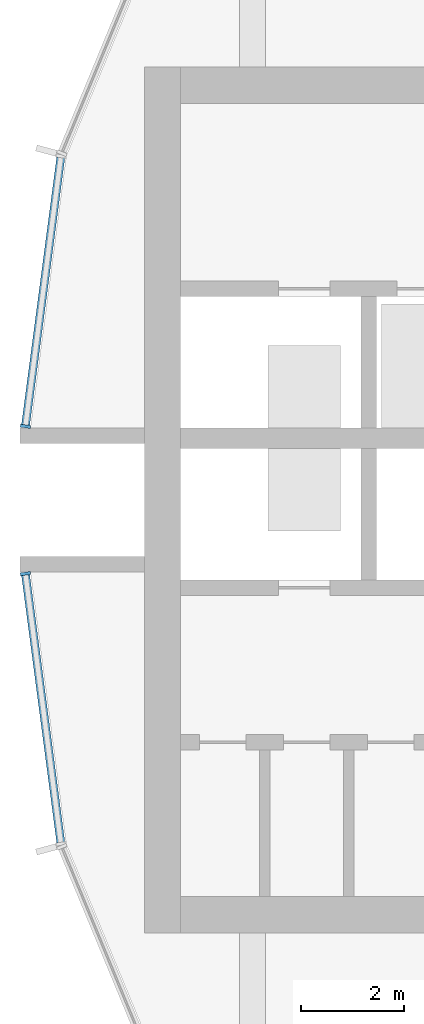
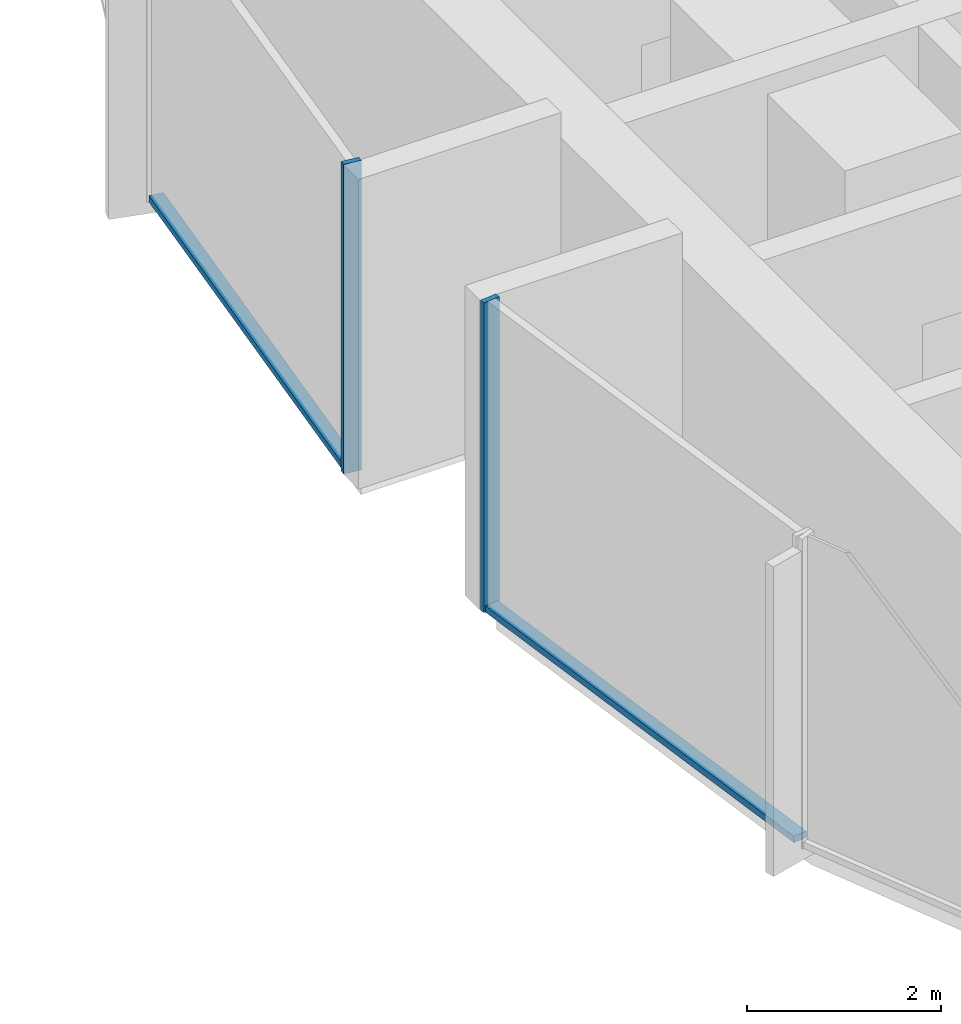
# One storey, part 3 of 15: 4 members, 2 elements without a shape of their own.
"""IFC4 building model written with IfcOpenShell, lengths in metres."""

from ifc_helpers import new_model, si_unit, direction, frame, origin, origin_2d, place, context, subcontext, project, spatial, rectangle, extrude, material, layer, layer_set, material_profile, profile_set, type_object, element, aggregate, save


model = new_model("IFC4")

# Units and contexts
model_context = context("Model", 3, precision=1e-05, world=origin(), true_north=direction((0.0, 1.0)))
body_context = subcontext(model_context, "Body", "Model", "MODEL_VIEW")
ifc_project = project(units=[si_unit("LENGTHUNIT", "METRE"), si_unit("AREAUNIT", "SQUARE_METRE"), si_unit("VOLUMEUNIT", "CUBIC_METRE"), si_unit("PLANEANGLEUNIT", "RADIAN"), si_unit("MASSUNIT", "GRAM", prefix="KILO")], contexts=[model_context])

# Site, building, storey
site_placement = place(None, origin())
site = spatial("IfcSite", under=ifc_project, at=site_placement, CompositionType="ELEMENT")
building_placement = place(site_placement, origin())
building = spatial("IfcBuilding", under=site, at=building_placement, Name="Torre Brocal", CompositionType="ELEMENT")
storey_placement = place(building_placement, frame((0.0, 0.0, 134.10009765625)))
storey = spatial("IfcBuildingStorey", under=building, at=storey_placement, Name="L31", CompositionType="ELEMENT", Elevation=134.10009765625)

# Curtain wall, member
ifc_material_1 = material(Name="Aluminium and glass", Category="aluminium")
ifc_layer = layer(ifc_material_1, 0.199951171875)
ifc_layer_set = layer_set([ifc_layer], Name="Aluminium and glass")
curtain_wall_type = type_object("IfcCurtainWallType", Name="CW-1B CURTAIN WALL 3900 HIGH", PredefinedType="NOTDEFINED", material=ifc_layer_set)
curtain_wall_1_placement = place(storey_placement, origin())
curtain_wall_1 = element("IfcCurtainWall", 1, at=curtain_wall_1_placement, inside=storey, type_object=curtain_wall_type, Name="CW-1B RUN 12", PredefinedType="NOTDEFINED")
ifc_material_2 = material(Name="Aluminium, dark anodised", Category="aluminium")
ifc_material_profile_1 = material_profile(ifc_material_2, rectangle(XDim=0.199951171875, YDim=0.06005859375, at=origin_2d()), Name="CW-1B MULLION 60X200")
ifc_profile_set_1 = profile_set([ifc_material_profile_1], Name="Aluminium, dark anodised")
member_type_1 = type_object("IfcMemberType", Name="CW-1B MULLION 60X200", PredefinedType="MULLION", material=ifc_profile_set_1)
member_1_placement = place(storey_placement, frame((54.2890625, 76.4296875, 0.0), z_axis=(0.0, 0.0, 1.0), x_axis=(0.991444861374, -0.13052619222, 0.0)))
member_1 = element("IfcMember", 2, at=member_1_placement, type_object=member_type_1, Name="CW1B-3 mullion 2", PredefinedType="MULLION", context=body_context, shape_type="SweptSolid", body=[
    extrude(rectangle(XDim=0.199951171875, YDim=0.06005859375, at=origin_2d()), origin(), (0.0, 0.0, 1.0), 3.89990234375),
])

curtain_wall_2_placement = place(storey_placement, origin())
curtain_wall_2 = element("IfcCurtainWall", 3, at=curtain_wall_2_placement, inside=storey, type_object=curtain_wall_type, Name="CW-1B RUN 13", PredefinedType="NOTDEFINED")
member_2_placement = place(storey_placement, frame((54.2890625, 73.5703125, 0.0), z_axis=(0.0, 0.0, 1.0), x_axis=(0.991444861374, 0.13052619222, 0.0)))
member_2 = element("IfcMember", 4, at=member_2_placement, type_object=member_type_1, Name="CW1B-3 mullion 1", PredefinedType="MULLION", context=body_context, shape_type="SweptSolid", body=[
    extrude(rectangle(XDim=0.199951171875, YDim=0.06005859375, at=origin_2d()), origin(), (0.0, 0.0, 1.0), 3.89990234375),
])

# Member
ifc_material_3 = material(Name="Aluminium, dark anodised", Category="aluminium")
ifc_material_profile_2 = material_profile(ifc_material_3, rectangle(XDim=0.159912109375, YDim=0.080078125, at=origin_2d()), Name="CW-1B TRANSOM 160X80")
ifc_profile_set_2 = profile_set([ifc_material_profile_2], Name="Aluminium, dark anodised")
member_type_2 = type_object("IfcMemberType", Name="CW-1B TRANSOM 160X80", PredefinedType="USERDEFINED", material=ifc_profile_set_2)
member_3_placement = place(storey_placement, frame((54.9755859375, 81.643798828125, 0.039794921875), z_axis=(-0.130542677827, -0.991442690863, 0.0), x_axis=(0.991442690863, -0.130542677827, 0.0)))
member_3 = element("IfcMember", 5, at=member_3_placement, type_object=member_type_2, Name="CW1B-3 transom 1.1", ObjectType="TRANSOM", PredefinedType="USERDEFINED", context=body_context, shape_type="SweptSolid", body=[
    extrude(rectangle(XDim=0.159912109375, YDim=0.080078125, at=origin_2d()), origin(), (0.0, 0.0, 1.0), 5.22900390625),
])

aggregate(curtain_wall_1, [member_1, member_3])

member_4_placement = place(storey_placement, frame((54.29296875, 73.54052734375, 0.039794921875), z_axis=(0.130542677827, -0.991442690863, 0.0), x_axis=(0.991442690863, 0.130542677827, 0.0)))
member_4 = element("IfcMember", 6, at=member_4_placement, type_object=member_type_2, Name="CW1B-3 transom 1.1", ObjectType="TRANSOM", PredefinedType="USERDEFINED", context=body_context, shape_type="SweptSolid", body=[
    extrude(rectangle(XDim=0.159912109375, YDim=0.080078125, at=origin_2d()), origin(), (0.0, 0.0, 1.0), 5.22900390625),
])

aggregate(curtain_wall_2, [member_2, member_4])

save(model, "model.ifc")
